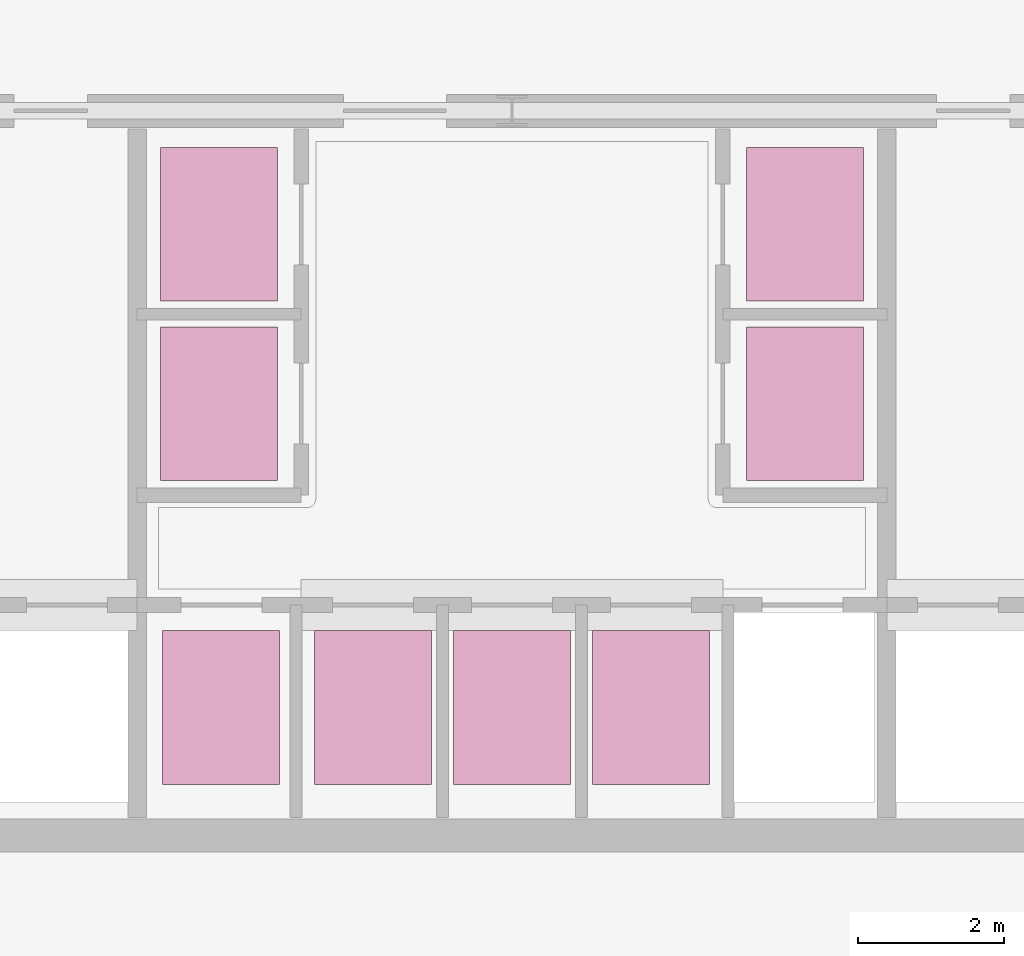
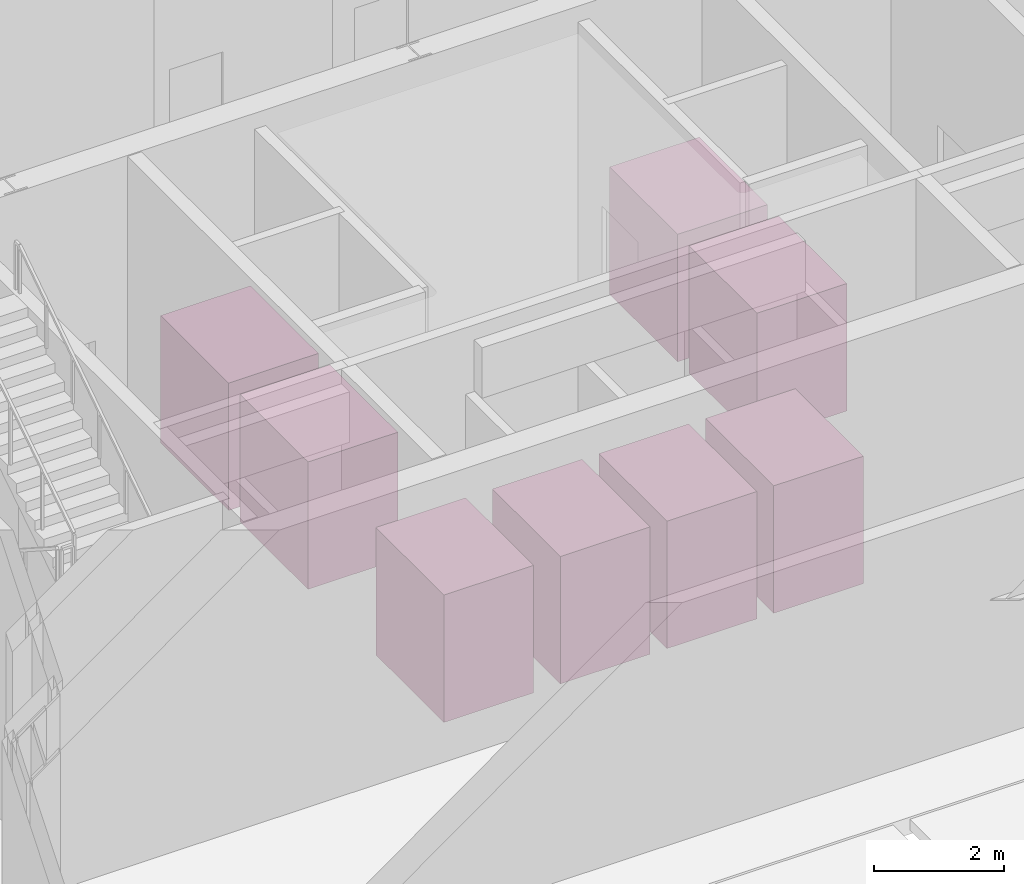
# One storey, part 9 of 9: 8 transport elements.
"""IFC4 building model written with IfcOpenShell, lengths in metres."""

import ifcopenshell
import ifcopenshell.guid

model = None  # the IFC model being written
_history = None  # IfcOwnerHistory: only IFC2X3 demands one
_inside = {}  # id of a spatial element -> (the spatial element, [elements in it])
_under = {}  # id of a project, library or spatial element -> (it, [spatial elements below it])
_declared = {}  # id of a project -> (the project, [libraries it declares])
_typed = {}  # id of a type object -> (the type object, [elements of that type])
_made_of = {}  # id of a material, layer set ... -> (it, [elements and type objects made of it])


def new_model(schema):
    """Start an empty IFC model of exactly this schema.

    Asked for "IFC4X3", IfcOpenShell would pick the latest addendum, in which some entities
    have other attributes; the version numbers below select the first issue.
    IFC2X3 requires an IfcOwnerHistory on every rooted entity: one is made here for all.
    """
    global model, _history
    if schema == "IFC4X3":
        model = ifcopenshell.file(schema_version=(4, 3, 0, 0))
    else:
        model = ifcopenshell.file(schema=schema)
    _inside.clear()
    _under.clear()
    _declared.clear()
    _typed.clear()
    _made_of.clear()
    _history = None
    if model.schema == "IFC2X3":
        org = make("IfcOrganization", Name="unknown")
        user = make(
            "IfcPersonAndOrganization",
            ThePerson=make("IfcPerson", FamilyName="unknown"),
            TheOrganization=org,
        )
        app = make(
            "IfcApplication",
            ApplicationDeveloper=org,
            Version="unknown",
            ApplicationFullName="unknown",
            ApplicationIdentifier="unknown",
        )
        _history = make(
            "IfcOwnerHistory",
            OwningUser=user,
            OwningApplication=app,
            ChangeAction="ADDED",
            CreationDate=0,
        )
    return model


def make(cls, **values):
    """One entity of the class cls with the attributes given. An attribute that is None is left unset."""
    return model.create_entity(
        cls, **{name: value for name, value in values.items() if value is not None}
    )


def rooted(cls, **values):
    """An entity with a GlobalId (a new one), such as an element, a storey or a relation."""
    return make(cls, GlobalId=ifcopenshell.guid.new(), OwnerHistory=_history, **values)


def si_unit(unit_type, name, prefix=None):
    """IfcSIUnit, for example si_unit("LENGTHUNIT", "METRE", prefix="MILLI")."""
    return make("IfcSIUnit", UnitType=unit_type, Prefix=prefix, Name=name)


def assignment(units):
    """IfcUnitAssignment: the units of a project."""
    return None if units is None else make("IfcUnitAssignment", Units=units)


def point(xyz):
    """IfcCartesianPoint."""
    return None if xyz is None else make("IfcCartesianPoint", Coordinates=xyz)


def direction(xyz):
    """IfcDirection."""
    return None if xyz is None else make("IfcDirection", DirectionRatios=xyz)


def frame(location, z_axis=None, x_axis=None):
    """IfcAxis2Placement3D, a coordinate frame: its origin and axes. An axis left out is left unset."""
    return make(
        "IfcAxis2Placement3D",
        Location=point(location),
        Axis=direction(z_axis),
        RefDirection=direction(x_axis),
    )


def frame_2d(location, x_axis=None):
    """IfcAxis2Placement2D, a coordinate frame in the plane: its origin and x axis."""
    return make(
        "IfcAxis2Placement2D", Location=point(location), RefDirection=direction(x_axis)
    )


def origin():
    """The frame at (0, 0, 0) with its axes left unset."""
    return frame((0.0, 0.0, 0.0))


def origin_2d():
    """The frame at (0, 0) in the plane with its x axis left unset."""
    return frame_2d((0.0, 0.0))


def place(relative_to, where):
    """IfcLocalPlacement: puts the frame where relative to a parent placement (None: the world)."""
    return make(
        "IfcLocalPlacement", PlacementRelTo=relative_to, RelativePlacement=where
    )


def context(
    kind, dimensions, precision=None, world=None, true_north=None, identifier=None
):
    """IfcGeometricRepresentationContext, for example the 3D "Model" context."""
    return make(
        "IfcGeometricRepresentationContext",
        ContextIdentifier=identifier,
        ContextType=kind,
        CoordinateSpaceDimension=dimensions,
        Precision=precision,
        WorldCoordinateSystem=world,
        TrueNorth=true_north,
    )


def subcontext(parent, identifier, kind, view, scale=None):
    """IfcGeometricRepresentationSubContext, for example "Body" below "Model"."""
    return make(
        "IfcGeometricRepresentationSubContext",
        ContextIdentifier=identifier,
        ContextType=kind,
        ParentContext=parent,
        TargetScale=scale,
        TargetView=view,
    )


def project(units=None, contexts=None):
    """IfcProject with its units and contexts."""
    return rooted(
        "IfcProject",
        Name="project",
        RepresentationContexts=contexts,
        UnitsInContext=assignment(units),
    )


def spatial(cls, under=None, at=None, **own):
    """A site, building, storey or space (cls), placed at a placement, below another one or the project."""
    s = rooted(cls, ObjectPlacement=at, **own)
    if under is not None:
        _under.setdefault(under.id(), (under, []))[1].append(s)
    return s


def profile(cls, at=None, kind="AREA", **sizes):
    """A parametric profile (cls). Its sizes go by their IFC names, for example OverallWidth=200.0."""
    return make(cls, ProfileType=kind, Position=at, **sizes)


def rectangle(**sizes):
    """IfcRectangleProfileDef."""
    return profile("IfcRectangleProfileDef", **sizes)


def extrude(swept, where, along, depth):
    """IfcExtrudedAreaSolid: the profile swept, set in the frame where, extruded along a direction by depth."""
    return make(
        "IfcExtrudedAreaSolid",
        SweptArea=swept,
        Position=where,
        ExtrudedDirection=direction(along),
        Depth=depth,
    )


def shape(context_of_items, identifier, shape_type, items):
    """IfcShapeRepresentation: the items that make up one representation, for example the "Body"."""
    return make(
        "IfcShapeRepresentation",
        ContextOfItems=context_of_items,
        RepresentationIdentifier=identifier,
        RepresentationType=shape_type,
        Items=items,
    )


def material(Name=None, Category=None):
    """IfcMaterial."""
    return make("IfcMaterial", Name=Name, Category=Category)


def made_of(thing, what):
    """Note that an element or type object is made of a material, layer set ...; save() writes the relation."""
    if what is not None:
        _made_of.setdefault(what.id(), (what, []))[1].append(thing)
    return thing


def type_object(cls, material=None, **own):
    """A type object (cls), such as IfcWallType, which elements share."""
    return made_of(rooted(cls, **own), material)


def element(
    cls,
    number,
    at=None,
    inside=None,
    cuts=None,
    type_object=None,
    material=None,
    context=None,
    identifier="Body",
    shape_type=None,
    held_by="IfcProductDefinitionShape",
    body=None,
    shapes=None,
    **own,
):
    """One element of the class cls, such as IfcWall. Its Tag is "e" and its number.

    at: its placement. inside: the storey or other place that contains it. cuts: it is an
    opening in that element (IfcRelVoidsElement). A single representation is given by context,
    identifier, shape_type and body (its items); several are given by shapes. held_by: the class
    of the entity that holds the representations. save() writes the other relations.
    """
    e = rooted(cls, Tag="e%d" % number, ObjectPlacement=at, **own)
    if body is not None:
        shapes = [shape(context, identifier, shape_type, body)]
    if shapes is not None:
        e.Representation = make(held_by, Representations=shapes)
    if inside is not None:
        _inside.setdefault(inside.id(), (inside, []))[1].append(e)
    if cuts is not None:
        rooted(
            "IfcRelVoidsElement", RelatingBuildingElement=cuts, RelatedOpeningElement=e
        )
    if type_object is not None:
        _typed.setdefault(type_object.id(), (type_object, []))[1].append(e)
    return made_of(e, material)


def aggregate(whole, parts):
    """IfcRelAggregates: a whole, such as a stair, and the parts it consists of."""
    return rooted("IfcRelAggregates", RelatingObject=whole, RelatedObjects=parts)


def save(model, path):
    """Write the relations noted so far, then the file.

    IfcRelAggregates (storeys below a building ...), IfcRelContainedInSpatialStructure (elements
    in a storey), IfcRelDefinesByType, IfcRelAssociatesMaterial and IfcRelDeclares: one each for
    every whole, place, type object, material and project.
    """
    for whole, parts in _under.values():
        aggregate(whole, parts)
    for where, things in _inside.values():
        rooted(
            "IfcRelContainedInSpatialStructure",
            RelatedElements=things,
            RelatingStructure=where,
        )
    for kind, things in _typed.values():
        rooted("IfcRelDefinesByType", RelatedObjects=things, RelatingType=kind)
    for what, things in _made_of.values():
        rooted("IfcRelAssociatesMaterial", RelatedObjects=things, RelatingMaterial=what)
    for by, libraries in _declared.values():
        rooted("IfcRelDeclares", RelatingContext=by, RelatedDefinitions=libraries)
    model.write(path)


model = new_model("IFC4")

# Units and contexts
model_context = context("Model", 3, precision=1e-05, world=origin(), true_north=direction((0.0, 1.0)))
body_context = subcontext(model_context, "Body", "Model", "MODEL_VIEW")
ifc_project = project(units=[si_unit("LENGTHUNIT", "METRE"), si_unit("AREAUNIT", "SQUARE_METRE"), si_unit("VOLUMEUNIT", "CUBIC_METRE"), si_unit("PLANEANGLEUNIT", "RADIAN"), si_unit("MASSUNIT", "GRAM", prefix="KILO")], contexts=[model_context])

# Site, building, storey
site_placement = place(None, origin())
site = spatial("IfcSite", under=ifc_project, at=site_placement, CompositionType="ELEMENT")
building_placement = place(site_placement, origin())
building = spatial("IfcBuilding", under=site, at=building_placement, Name="Talgorran Terracotta Tower", CompositionType="ELEMENT")
storey_placement = place(building_placement, origin())
storey = spatial("IfcBuildingStorey", under=building, at=storey_placement, Name="L00", CompositionType="ELEMENT", Elevation=0.0)

# Transport elements
ifc_material = material(Name="Stainless Steel Lift Assembly", Category="steel")
transport_element_type = type_object("IfcTransportElementType", Name="LIFT_PASSENGER_2100", PredefinedType="ELEVATOR", material=ifc_material)
for number, where, z_axis, x_axis, name in (
    (1, (-3.97509765625, -12.35009765625, 0.0), (0.0, 0.0, 1.0), (1.0, 0.0, 0.0), "Observation Express Lift OB-1"),
    (2, (-4.0, -8.199951171875, 0.0), (0.0, 0.0, 1.0), (1.0, 0.0, 0.0), "Low-Rise Passenger Lift PL-L1"),
    (3, (-4.0, -5.75, 0.0), (0.0, 0.0, 1.0), (1.0, 0.0, 0.0), "Low-Rise Passenger Lift PL-L2"),
    (4, (4.0, -8.199951171875, 0.0), (0.0, 0.0, 1.0), (1.0, 0.0, 0.0), "Mid-Rise Passenger Lift PL-M1"),
    (5, (4.0, -5.75, 0.0), (0.0, 0.0, 1.0), (1.0, 0.0, 0.0), "Mid-Rise Passenger Lift PL-M2"),
    (6, (-1.89990234375, -12.35009765625, 0.0), (0.0, 0.0, 1.0), (1.0, 0.0, 0.0), "High-Rise Passenger Lift PL-H1"),
    (7, (0.0, -12.35009765625, 0.0), (0.0, 0.0, 1.0), (1.0, 0.0, 0.0), "High-Rise Passenger Lift PL-H2"),
    (8, (1.89990234375, -12.35009765625, 0.0), (0.0, 0.0, 1.0), (1.0, 0.0, 0.0), "High-Rise Passenger Lift PL-H3"),
):
    element("IfcTransportElement", number, at=place(storey_placement, frame(where, z_axis=z_axis, x_axis=x_axis)), inside=storey, type_object=transport_element_type, Name=name, PredefinedType="ELEVATOR", context=body_context, shape_type="SweptSolid", body=[
        extrude(rectangle(XDim=1.60009765625, YDim=2.10009765625, at=origin_2d()), origin(), (0.0, 0.0, 1.0), 2.39990234375),
    ])

save(model, "model.ifc")
